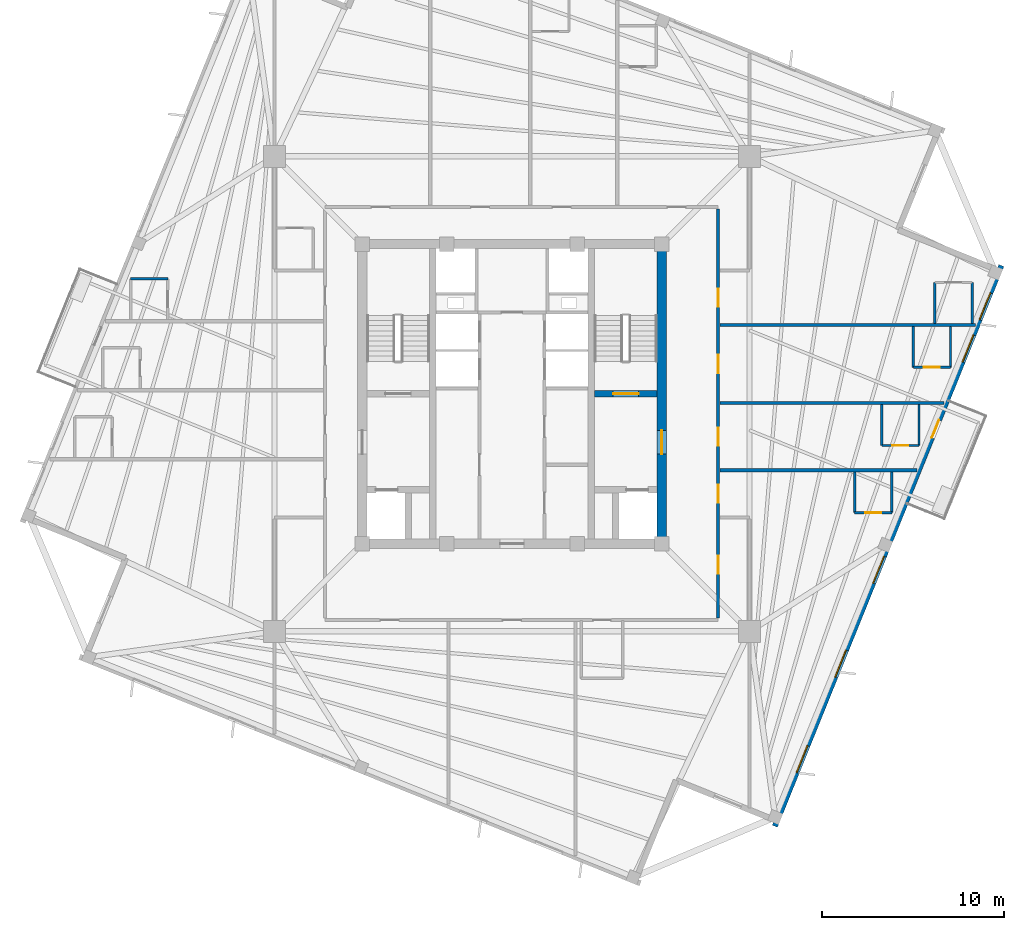
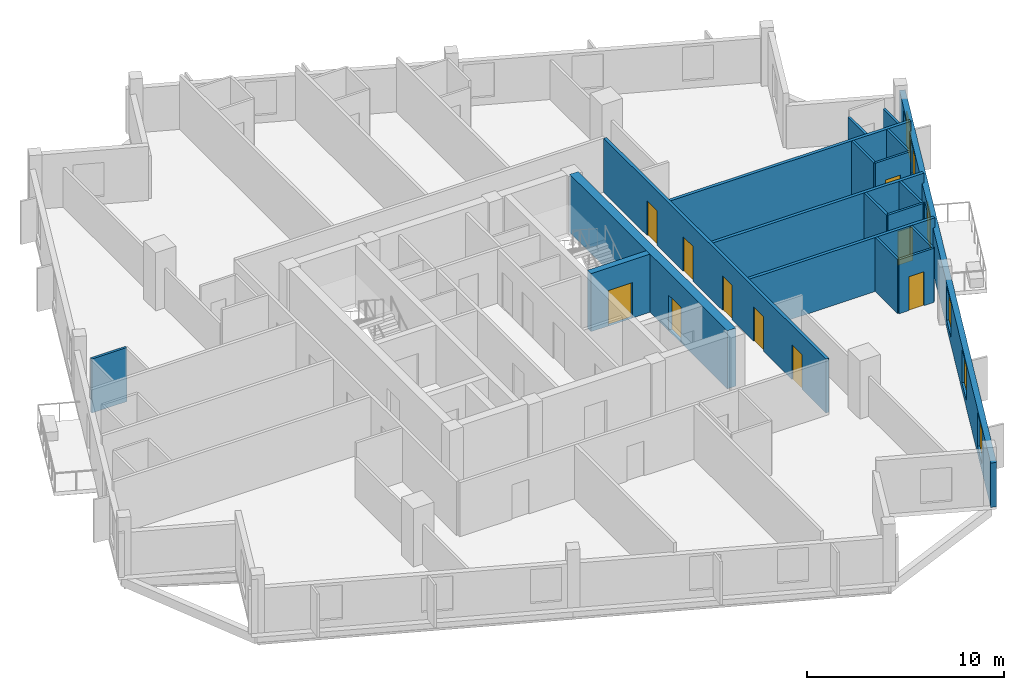
# One storey, part 4 of 9: 19 walls, 11 doors, 5 windows, 16 openings.
"""IFC4 building model written with IfcOpenShell, lengths in metres."""

from ifc_helpers import new_model, si_unit, direction, frame, frame_2d, origin, place, context, subcontext, project, spatial, rectangle, extrude, source, transform, mapped, material, layer, layer_set, type_object, element, fill, save


model = new_model("IFC4")

# Units and contexts
model_context = context("Model", 3, precision=1e-05, world=origin(), true_north=direction((0.0, 1.0)))
body_context = subcontext(model_context, "Body", "Model", "MODEL_VIEW")
ifc_project = project(units=[si_unit("LENGTHUNIT", "METRE"), si_unit("AREAUNIT", "SQUARE_METRE"), si_unit("VOLUMEUNIT", "CUBIC_METRE"), si_unit("PLANEANGLEUNIT", "RADIAN"), si_unit("MASSUNIT", "GRAM", prefix="KILO"), si_unit("THERMODYNAMICTEMPERATUREUNIT", "KELVIN")], contexts=[model_context])

# Site, building, storey
site_placement = place(None, origin())
site = spatial("IfcSite", under=ifc_project, at=site_placement, CompositionType="ELEMENT")
building_placement = place(site_placement, origin())
building = spatial("IfcBuilding", under=site, at=building_placement, Name="Kosmvard Interchange Tower", CompositionType="ELEMENT")
storey_placement = place(building_placement, frame((0.0, 0.0, 301.199951171875)))
storey = spatial("IfcBuildingStorey", under=building, at=storey_placement, Name="L74", CompositionType="ELEMENT", Elevation=301.199951171875)

# Wall, openings, doors
ifc_material_1 = material(Name="Fire-rated gypsum partition system")
ifc_layer_1 = layer(ifc_material_1, 0.179931640625, Name="Fire-rated gypsum partition system")
ifc_layer_set_1 = layer_set([ifc_layer_1], Name="Fire-rated gypsum partition system")
wall_type_1 = type_object("IfcWallType", Name="Corridor & Hotel Compartment Partition 180", PredefinedType="PARTITIONING", material=ifc_layer_set_1)
wall_1_placement = place(storey_placement, frame((11.35009765625, -12.35009765625, 0.0), z_axis=(0.0, 0.0, 1.0), x_axis=(0.0, 1.0, 0.0)))
wall_1 = element("IfcWall", 1, at=wall_1_placement, inside=storey, type_object=wall_type_1, Name="L74 Corridor Wall CE", PredefinedType="PARTITIONING", context=body_context, shape_type="SweptSolid", body=[
    extrude(rectangle(XDim=22.550048828125, YDim=0.179931640625, at=frame_2d((11.27490234375, 0.0))), origin(), (0.0, 0.0, 1.0), 3.35009765625),
])
opening_1_placement = place(wall_1_placement, frame((17.14990234375, 0.0, 0.0)))
opening_1 = element("IfcOpeningElement", 2, at=opening_1_placement, cuts=wall_1, Name="Opening L74-D14", PredefinedType="OPENING", context=body_context, shape_type="SweptSolid", body=[
    extrude(rectangle(XDim=1.0, YDim=2.14990234375, at=frame_2d((0.5, 1.074951171875))), frame((0.0, 0.10009765625, 0.0), z_axis=(0.0, -1.0, 0.0), x_axis=(1.0, 0.0, 0.0)), (0.0, 0.0, 1.0), 0.199951171875),
])
opening_2_placement = place(wall_1_placement, frame((13.5, 0.0, 0.0)))
opening_2 = element("IfcOpeningElement", 3, at=opening_2_placement, cuts=wall_1, Name="Opening L74-D16", PredefinedType="OPENING", context=body_context, shape_type="SweptSolid", body=[
    extrude(rectangle(XDim=1.0, YDim=2.14990234375, at=frame_2d((0.5, 1.074951171875))), frame((0.0, 0.10009765625, 0.0), z_axis=(0.0, -1.0, 0.0), x_axis=(1.0, 0.0, 0.0)), (0.0, 0.0, 1.0), 0.199951171875),
])
opening_3_placement = place(wall_1_placement, frame((9.5, 0.0, 0.0)))
opening_3 = element("IfcOpeningElement", 4, at=opening_3_placement, cuts=wall_1, Name="Opening L74-D18", PredefinedType="OPENING", context=body_context, shape_type="SweptSolid", body=[
    extrude(rectangle(XDim=1.0, YDim=2.14990234375, at=frame_2d((0.5, 1.074951171875))), frame((0.0, 0.10009765625, 0.0), z_axis=(0.0, -1.0, 0.0), x_axis=(1.0, 0.0, 0.0)), (0.0, 0.0, 1.0), 0.199951171875),
])
opening_4_placement = place(wall_1_placement, frame((6.35009765625, 0.0, 0.0)))
opening_4 = element("IfcOpeningElement", 5, at=opening_4_placement, cuts=wall_1, Name="Opening L74-D20", PredefinedType="OPENING", context=body_context, shape_type="SweptSolid", body=[
    extrude(rectangle(XDim=1.0, YDim=2.14990234375, at=frame_2d((0.5, 1.074951171875))), frame((0.0, 0.10009765625, 0.0), z_axis=(0.0, -1.0, 0.0), x_axis=(1.0, 0.0, 0.0)), (0.0, 0.0, 1.0), 0.199951171875),
])
opening_5_placement = place(wall_1_placement, frame((2.439453125, 0.0, 0.0)))
opening_5 = element("IfcOpeningElement", 6, at=opening_5_placement, cuts=wall_1, Name="Opening L74-D22", PredefinedType="OPENING", context=body_context, shape_type="SweptSolid", body=[
    extrude(rectangle(XDim=1.0, YDim=2.14990234375, at=frame_2d((0.5, 1.074951171875))), frame((0.0, 0.10009765625, 0.0), z_axis=(0.0, -1.0, 0.0), x_axis=(1.0, 0.0, 0.0)), (0.0, 0.0, 1.0), 0.199951171875),
])
ifc_material_2 = material(Name="Engineered oak fire-rated timber", Category="wood")
door_type_1 = type_object("IfcDoorType", Name="Hotel Guestroom Entrance Door 1000x2150 EI60", OperationType="NOTDEFINED", PredefinedType="DOOR", material=ifc_material_2)
shared_shape_1 = source(origin(), body_context, "Body", "SweptSolid", [
    extrude(rectangle(XDim=1.0, YDim=2.14990234375, at=frame_2d((0.5, 1.074951171875))), frame((0.0, 0.02490234375, 0.0), z_axis=(0.0, -1.0, 0.0), x_axis=(1.0, 0.0, 0.0)), (0.0, 0.0, 1.0), 0.050048828125),
])
door_1_placement = place(opening_1_placement, frame((1.0, 0.0, 0.0), z_axis=(0.0, 0.0, 1.0), x_axis=(-1.0, 0.0, 0.0)))
door_1 = element("IfcDoor", 7, at=door_1_placement, inside=storey, type_object=door_type_1, Name="L74 Hotel Corner Suite 2 Door", OperationType="SINGLE_SWING_RIGHT", OverallHeight=2.14990234375, OverallWidth=1.0, PredefinedType="DOOR", context=body_context, shape_type="MappedRepresentation", body=[
    mapped(shared_shape_1, transform((0.0, 0.0, 0.0), scale=1.0)),
])
fill(opening_1, door_1)
door_2_placement = place(opening_2_placement, frame((1.0, 0.0, 0.0), z_axis=(0.0, 0.0, 1.0), x_axis=(-1.0, 0.0, 0.0)))
door_2 = element("IfcDoor", 8, at=door_2_placement, inside=storey, type_object=door_type_1, Name="L74 Hotel Superior Guest Room 6 Door", OperationType="SINGLE_SWING_RIGHT", OverallHeight=2.14990234375, OverallWidth=1.0, PredefinedType="DOOR", context=body_context, shape_type="MappedRepresentation", body=[
    mapped(shared_shape_1, transform((0.0, 0.0, 0.0), scale=1.0)),
])
fill(opening_2, door_2)
door_3_placement = place(opening_3_placement, frame((1.0, 0.0, 0.0), z_axis=(0.0, 0.0, 1.0), x_axis=(-1.0, 0.0, 0.0)))
door_3 = element("IfcDoor", 9, at=door_3_placement, inside=storey, type_object=door_type_1, Name="L74 Hotel Superior Guest Room 7 Door", OperationType="SINGLE_SWING_RIGHT", OverallHeight=2.14990234375, OverallWidth=1.0, PredefinedType="DOOR", context=body_context, shape_type="MappedRepresentation", body=[
    mapped(shared_shape_1, transform((0.0, 0.0, 0.0), scale=1.0)),
])
fill(opening_3, door_3)
door_4_placement = place(opening_4_placement, frame((1.0, 0.0, 0.0), z_axis=(0.0, 0.0, 1.0), x_axis=(-1.0, 0.0, 0.0)))
door_4 = element("IfcDoor", 10, at=door_4_placement, inside=storey, type_object=door_type_1, Name="L74 Hotel Corner Suite 3 Door", OperationType="SINGLE_SWING_RIGHT", OverallHeight=2.14990234375, OverallWidth=1.0, PredefinedType="DOOR", context=body_context, shape_type="MappedRepresentation", body=[
    mapped(shared_shape_1, transform((0.0, 0.0, 0.0), scale=1.0)),
])
fill(opening_4, door_4)
door_5_placement = place(opening_5_placement, frame((1.0, 0.0, 0.0), z_axis=(0.0, 0.0, 1.0), x_axis=(-1.0, 0.0, 0.0)))
door_5 = element("IfcDoor", 11, at=door_5_placement, inside=storey, type_object=door_type_1, Name="L74 Housekeeping and Linen Room Door", OperationType="SINGLE_SWING_RIGHT", OverallHeight=2.14990234375, OverallWidth=1.0, PredefinedType="DOOR", context=body_context, shape_type="MappedRepresentation", body=[
    mapped(shared_shape_1, transform((0.0, 0.0, 0.0), scale=1.0)),
])
fill(opening_5, door_5)

# Walls
wall_2_placement = place(storey_placement, frame((11.445068359375, 3.800048828125, 0.0), z_axis=(0.0, 0.0, 1.0), x_axis=(1.0, 0.0, 0.0)))
element("IfcWall", 12, at=wall_2_placement, inside=storey, type_object=wall_type_1, Name="L74 Room Partition 04.1", PredefinedType="PARTITIONING", context=body_context, shape_type="SweptSolid", body=[
    extrude(rectangle(XDim=14.093017578125, YDim=0.179931640625, at=frame_2d((7.04638671875, 0.0))), origin(), (0.0, 0.0, 1.0), 3.35009765625),
])
wall_3_placement = place(storey_placement, frame((11.445068359375, -0.5, 0.0), z_axis=(0.0, 0.0, 1.0), x_axis=(1.0, 0.0, 0.0)))
element("IfcWall", 13, at=wall_3_placement, inside=storey, type_object=wall_type_1, Name="L74 Room Partition 05.1", PredefinedType="PARTITIONING", context=body_context, shape_type="SweptSolid", body=[
    extrude(rectangle(XDim=12.355712890625, YDim=0.179931640625, at=frame_2d((6.177734375, 0.0))), origin(), (0.0, 0.0, 1.0), 3.35009765625),
])
wall_4_placement = place(storey_placement, frame((11.445068359375, -4.199951171875, 0.0), z_axis=(0.0, 0.0, 1.0), x_axis=(1.0, 0.0, 0.0)))
element("IfcWall", 14, at=wall_4_placement, inside=storey, type_object=wall_type_1, Name="L74 Room Partition 06.1", PredefinedType="PARTITIONING", context=body_context, shape_type="SweptSolid", body=[
    extrude(rectangle(XDim=10.86083984375, YDim=0.179931640625, at=frame_2d((5.430419921875, 0.0))), origin(), (0.0, 0.0, 1.0), 3.35009765625),
])

# Wall, opening, door
ifc_material_3 = material(Name="Concrete C60/75", Category="concrete")
ifc_layer_2 = layer(ifc_material_3, 0.360107421875, Name="Concrete C60/75")
ifc_layer_set_2 = layer_set([ifc_layer_2], Name="Concrete C60/75")
wall_type_2 = type_object("IfcWallType", Name="Stair & Lift Shaft Shear Wall 360 C60/75", PredefinedType="SHEAR", material=ifc_layer_set_2)
wall_5_placement = place(storey_placement, frame((4.5400390625, 0.02001953125, 0.0), z_axis=(0.0, 0.0, 1.0), x_axis=(1.0, 0.0, 0.0)))
wall_5 = element("IfcWall", 15, at=wall_5_placement, inside=storey, type_object=wall_type_2, Name="L74 Shaft Shear Wall SW-ST2", PredefinedType="SHEAR", context=body_context, shape_type="SweptSolid", body=[
    extrude(rectangle(XDim=3.4599609375, YDim=0.360107421875, at=frame_2d((1.72998046875, 0.0))), origin(), (0.0, 0.0, 1.0), 3.60009765625),
])
opening_6_placement = place(wall_5_placement, frame((1.030029296875, 0.0, 0.0)))
opening_6 = element("IfcOpeningElement", 16, at=opening_6_placement, cuts=wall_5, Name="Opening L74-SD2", PredefinedType="OPENING", context=body_context, shape_type="SweptSolid", body=[
    extrude(rectangle(XDim=1.39990234375, YDim=2.199951171875, at=frame_2d((0.699951171875, 1.10009765625))), frame((0.0, 0.18994140625, 0.0), z_axis=(0.0, -1.0, 0.0), x_axis=(1.0, 0.0, 0.0)), (0.0, 0.0, 1.0), 0.380126953125),
])
ifc_material_4 = material(Name="Painted fire-rated steel leaf", Category="steel")
door_type_2 = type_object("IfcDoorType", Name="Protected Stair Door 1400x2200 FD60S", OperationType="NOTDEFINED", PredefinedType="DOOR", material=ifc_material_4)
shared_shape_2 = source(origin(), body_context, "Body", "SweptSolid", [
    extrude(rectangle(XDim=1.39990234375, YDim=2.199951171875, at=frame_2d((0.699951171875, 1.10009765625))), frame((0.0, 0.02490234375, 0.0), z_axis=(0.0, -1.0, 0.0), x_axis=(1.0, 0.0, 0.0)), (0.0, 0.0, 1.0), 0.050048828125),
])
door_6_placement = place(opening_6_placement, origin())
door_6 = element("IfcDoor", 17, at=door_6_placement, inside=storey, type_object=door_type_2, Name="L74 Stair ST-2 Enclosure Door", OperationType="SINGLE_SWING_RIGHT", OverallHeight=2.199951171875, OverallWidth=1.39990234375, PredefinedType="DOOR", context=body_context, shape_type="MappedRepresentation", body=[
    mapped(shared_shape_2, transform((0.0, 0.0, 0.0), scale=1.0)),
])
fill(opening_6, door_6)

ifc_layer_3 = layer(ifc_material_3, 0.5, Name="Concrete C60/75")
ifc_layer_set_3 = layer_set([ifc_layer_3], Name="Concrete C60/75")
wall_type_3 = type_object("IfcWallType", Name="Upper Core Shear Wall 500 C60/75", PredefinedType="SHEAR", material=ifc_layer_set_3)
wall_6_placement = place(storey_placement, frame((8.25, -8.0, 0.0), z_axis=(0.0, 0.0, 1.0), x_axis=(0.0, 1.0, 0.0)))
wall_6 = element("IfcWall", 18, at=wall_6_placement, inside=storey, type_object=wall_type_3, Name="L74 Core Shear Wall CW-E", PredefinedType="SHEAR", context=body_context, shape_type="SweptSolid", body=[
    extrude(rectangle(XDim=16.0, YDim=0.5, at=frame_2d((8.0, 0.0))), origin(), (0.0, 0.0, 1.0), 3.60009765625),
])
opening_7_placement = place(wall_6_placement, frame((4.68994140625, 0.0, 0.0)))
opening_7 = element("IfcOpeningElement", 19, at=opening_7_placement, cuts=wall_6, Name="Opening L74-FD2", PredefinedType="OPENING", context=body_context, shape_type="SweptSolid", body=[
    extrude(rectangle(XDim=1.300048828125, YDim=2.199951171875, at=frame_2d((0.64990234375, 1.10009765625))), frame((0.0, 0.260009765625, 0.0), z_axis=(0.0, -1.0, 0.0), x_axis=(1.0, 0.0, 0.0)), (0.0, 0.0, 1.0), 0.52001953125),
])
door_type_3 = type_object("IfcDoorType", Name="Firefighting Lobby Door 1300x2200 EI60", OperationType="NOTDEFINED", PredefinedType="DOOR", material=ifc_material_4)
shared_shape_3 = source(origin(), body_context, "Body", "SweptSolid", [
    extrude(rectangle(XDim=1.300048828125, YDim=2.199951171875, at=frame_2d((0.64990234375, 1.10009765625))), frame((0.0, 0.02490234375, 0.0), z_axis=(0.0, -1.0, 0.0), x_axis=(1.0, 0.0, 0.0)), (0.0, 0.0, 1.0), 0.050048828125),
])
door_7_placement = place(opening_7_placement, origin())
door_7 = element("IfcDoor", 20, at=door_7_placement, inside=storey, type_object=door_type_3, Name="L74 Firefighting Lobby East Door", OperationType="SINGLE_SWING_RIGHT", OverallHeight=2.199951171875, OverallWidth=1.300048828125, PredefinedType="DOOR", context=body_context, shape_type="MappedRepresentation", body=[
    mapped(shared_shape_3, transform((0.0, 0.0, 0.0), scale=1.0)),
])
fill(opening_7, door_7)

# Wall, openings, door, windows
ifc_material_5 = material(Name="Precast concrete C45/55", Category="concrete")
ifc_layer_4 = layer(ifc_material_5, 0.31005859375, Name="Precast concrete C45/55")
ifc_layer_set_4 = layer_set([ifc_layer_4], Name="Precast concrete C45/55")
wall_type_4 = type_object("IfcWallType", Name="Upper Tower Precast Pier Wall 310 C45/55", PredefinedType="STANDARD", material=ifc_layer_set_4)
wall_7_placement = place(storey_placement, frame((14.478759765625, -23.812744140625, 0.0), z_axis=(0.0, 0.0, 1.0), x_axis=(0.374609557019, 0.927182657188, 0.0)))
wall_7 = element("IfcWall", 21, at=wall_7_placement, inside=storey, type_object=wall_type_4, Name="L74 Precast Facade Wall F-S", PredefinedType="STANDARD", context=body_context, shape_type="SweptSolid", body=[
    extrude(rectangle(XDim=33.31005859375, YDim=0.31005859375, at=frame_2d((16.655029296875, 0.0))), origin(), (0.0, 0.0, 1.0), 2.75),
])
opening_8_placement = place(wall_7_placement, frame((23.080078125, 0.0, 0.0)))
opening_8 = element("IfcOpeningElement", 22, at=opening_8_placement, cuts=wall_7, Name="Opening L74-BDW", PredefinedType="OPENING", context=body_context, shape_type="SweptSolid", body=[
    extrude(rectangle(XDim=1.050048828125, YDim=2.25, at=frame_2d((0.52490234375, 1.125))), frame((0.0, 0.1650390625, 0.0), z_axis=(0.0, -1.0, 0.0), x_axis=(1.0, 0.0, 0.0)), (0.0, 0.0, 1.0), 0.330078125),
])
opening_9_placement = place(wall_7_placement, frame((3.197265625, 0.0, 0.469970703125)))
opening_9 = element("IfcOpeningElement", 23, at=opening_9_placement, cuts=wall_7, Name="Opening L74-W01", PredefinedType="OPENING", context=body_context, shape_type="SweptSolid", body=[
    extrude(rectangle(XDim=1.60009765625, YDim=2.10009765625, at=frame_2d((0.800048828125, 1.050048828125))), frame((0.0, 0.1650390625, 0.0), z_axis=(0.0, -1.0, 0.0), x_axis=(1.0, 0.0, 0.0)), (0.0, 0.0, 1.0), 0.330078125),
])
opening_10_placement = place(wall_7_placement, frame((8.85986328125, 0.0, 0.469970703125)))
opening_10 = element("IfcOpeningElement", 24, at=opening_10_placement, cuts=wall_7, Name="Opening L74-W02", PredefinedType="OPENING", context=body_context, shape_type="SweptSolid", body=[
    extrude(rectangle(XDim=1.60009765625, YDim=2.10009765625, at=frame_2d((0.800048828125, 1.050048828125))), frame((0.0, 0.1650390625, 0.0), z_axis=(0.0, -1.0, 0.0), x_axis=(1.0, 0.0, 0.0)), (0.0, 0.0, 1.0), 0.330078125),
])
opening_11_placement = place(wall_7_placement, frame((14.438720703125, 0.0, 0.469970703125)))
opening_11 = element("IfcOpeningElement", 25, at=opening_11_placement, cuts=wall_7, Name="Opening L74-W03", PredefinedType="OPENING", context=body_context, shape_type="SweptSolid", body=[
    extrude(rectangle(XDim=1.60009765625, YDim=2.10009765625, at=frame_2d((0.800048828125, 1.050048828125))), frame((0.0, 0.1650390625, 0.0), z_axis=(0.0, -1.0, 0.0), x_axis=(1.0, 0.0, 0.0)), (0.0, 0.0, 1.0), 0.330078125),
])
opening_12_placement = place(wall_7_placement, frame((30.0966796875, 0.0, 0.469970703125)))
opening_12 = element("IfcOpeningElement", 26, at=opening_12_placement, cuts=wall_7, Name="Opening L74-W04", PredefinedType="OPENING", context=body_context, shape_type="SweptSolid", body=[
    extrude(rectangle(XDim=1.60009765625, YDim=2.10009765625, at=frame_2d((0.800048828125, 1.050048828125))), frame((0.0, 0.1650390625, 0.0), z_axis=(0.0, -1.0, 0.0), x_axis=(1.0, 0.0, 0.0)), (0.0, 0.0, 1.0), 0.330078125),
])
opening_13_placement = place(wall_7_placement, frame((27.58984375, 0.0, 0.469970703125)))
opening_13 = element("IfcOpeningElement", 27, at=opening_13_placement, cuts=wall_7, Name="Opening L74-DW23", PredefinedType="OPENING", context=body_context, shape_type="SweptSolid", body=[
    extrude(rectangle(XDim=1.60009765625, YDim=2.10009765625, at=frame_2d((0.800048828125, 1.050048828125))), frame((0.0, 0.1650390625, 0.0), z_axis=(0.0, -1.0, 0.0), x_axis=(1.0, 0.0, 0.0)), (0.0, 0.0, 1.0), 0.330078125),
])
ifc_material_6 = material(Name="Anodised aluminium and safety glass", Category="aluminium")
door_type_4 = type_object("IfcDoorType", Name="Tree-Balcony Glazed Door 1050x2250", OperationType="NOTDEFINED", PredefinedType="DOOR", material=ifc_material_6)
shared_shape_4 = source(origin(), body_context, "Body", "SweptSolid", [
    extrude(rectangle(XDim=1.050048828125, YDim=2.25, at=frame_2d((0.52490234375, 1.125))), frame((0.0, 0.02490234375, 0.0), z_axis=(0.0, -1.0, 0.0), x_axis=(1.0, 0.0, 0.0)), (0.0, 0.0, 1.0), 0.050048828125),
])
door_8_placement = place(opening_8_placement, origin())
door_8 = element("IfcDoor", 28, at=door_8_placement, inside=storey, type_object=door_type_4, Name="L74 Tree-Balcony Door BAL-L74-SW", OperationType="SINGLE_SWING_LEFT", OverallHeight=2.25, OverallWidth=1.050048828125, PredefinedType="DOOR", context=body_context, shape_type="MappedRepresentation", body=[
    mapped(shared_shape_4, transform((0.0, 0.0, 0.0), scale=1.0)),
])
fill(opening_8, door_8)
ifc_material_7 = material(Name="Low-E acoustic double glazing", Category="glass")
window_type = type_object("IfcWindowType", Name="Zone 5 Hotel Punched Window 1600x2100", PartitioningType="SINGLE_PANEL", PredefinedType="WINDOW", material=ifc_material_7)
shared_shape_5 = source(origin(), body_context, "Body", "SweptSolid", [
    extrude(rectangle(XDim=1.60009765625, YDim=2.10009765625, at=frame_2d((0.800048828125, 1.050048828125))), frame((0.0, 0.030029296875, 0.0), z_axis=(0.0, -1.0, 0.0), x_axis=(1.0, 0.0, 0.0)), (0.0, 0.0, 1.0), 0.06005859375),
])
window_1_placement = place(opening_9_placement, origin())
window_1 = element("IfcWindow", 29, at=window_1_placement, inside=storey, type_object=window_type, Name="L74 Facade Punched Window 01", OverallHeight=2.10009765625, OverallWidth=1.60009765625, PartitioningType="SINGLE_PANEL", PredefinedType="WINDOW", context=body_context, shape_type="MappedRepresentation", body=[
    mapped(shared_shape_5, transform((0.0, 0.0, 0.0), scale=1.0)),
])
fill(opening_9, window_1)
window_2_placement = place(opening_10_placement, origin())
window_2 = element("IfcWindow", 30, at=window_2_placement, inside=storey, type_object=window_type, Name="L74 Facade Punched Window 02", OverallHeight=2.10009765625, OverallWidth=1.60009765625, PartitioningType="SINGLE_PANEL", PredefinedType="WINDOW", context=body_context, shape_type="MappedRepresentation", body=[
    mapped(shared_shape_5, transform((0.0, 0.0, 0.0), scale=1.0)),
])
fill(opening_10, window_2)
window_3_placement = place(opening_11_placement, origin())
window_3 = element("IfcWindow", 31, at=window_3_placement, inside=storey, type_object=window_type, Name="L74 Facade Punched Window 03", OverallHeight=2.10009765625, OverallWidth=1.60009765625, PartitioningType="SINGLE_PANEL", PredefinedType="WINDOW", context=body_context, shape_type="MappedRepresentation", body=[
    mapped(shared_shape_5, transform((0.0, 0.0, 0.0), scale=1.0)),
])
fill(opening_11, window_3)
window_4_placement = place(opening_12_placement, origin())
window_4 = element("IfcWindow", 32, at=window_4_placement, inside=storey, type_object=window_type, Name="L74 Facade Punched Window 04", OverallHeight=2.10009765625, OverallWidth=1.60009765625, PartitioningType="SINGLE_PANEL", PredefinedType="WINDOW", context=body_context, shape_type="MappedRepresentation", body=[
    mapped(shared_shape_5, transform((0.0, 0.0, 0.0), scale=1.0)),
])
fill(opening_12, window_4)
window_5_placement = place(opening_13_placement, origin())
window_5 = element("IfcWindow", 33, at=window_5_placement, inside=storey, type_object=window_type, Name="L74 Guest Room Punched Window 23", OverallHeight=2.10009765625, OverallWidth=1.60009765625, PartitioningType="SINGLE_PANEL", PredefinedType="WINDOW", context=body_context, shape_type="MappedRepresentation", body=[
    mapped(shared_shape_5, transform((0.0, 0.0, 0.0), scale=1.0)),
])
fill(opening_13, window_5)

# Walls
ifc_material_8 = material(Name="Moisture-resistant gypsum partition")
ifc_layer_5 = layer(ifc_material_8, 0.135009765625, Name="Moisture-resistant gypsum partition")
ifc_layer_set_5 = layer_set([ifc_layer_5], Name="Moisture-resistant gypsum partition")
wall_type_5 = type_object("IfcWallType", Name="Wet Room Moisture-Resistant Partition 135", PredefinedType="PARTITIONING", material=ifc_layer_set_5)
wall_8_placement = place(storey_placement, frame((-21.00341796875, 6.340087890625, 0.0), z_axis=(0.0, 0.0, 1.0), x_axis=(1.0, 0.0, 0.0)))
element("IfcWall", 34, at=wall_8_placement, inside=storey, type_object=wall_type_5, Name="L74 En-Suite Partition HGR2-N", PredefinedType="PARTITIONING", context=body_context, shape_type="SweptSolid", body=[
    extrude(rectangle(XDim=2.050048828125, YDim=0.135009765625, at=frame_2d((1.02490234375, 0.0))), origin(), (0.0, 0.0, 1.0), 3.35009765625),
])
wall_9_placement = place(storey_placement, frame((25.341552734375, 3.889892578125, 0.0), z_axis=(0.0, 0.0, 1.0), x_axis=(0.0, 1.0, 0.0)))
element("IfcWall", 35, at=wall_9_placement, inside=storey, type_object=wall_type_5, Name="L74 En-Suite Partition HCS2-E", PredefinedType="PARTITIONING", context=body_context, shape_type="SweptSolid", body=[
    extrude(rectangle(XDim=2.25, YDim=0.135009765625, at=frame_2d((1.125, 0.0))), origin(), (0.0, 0.0, 1.0), 2.75),
])
wall_10_placement = place(storey_placement, frame((23.29150390625, 3.889892578125, 0.0), z_axis=(0.0, 0.0, 1.0), x_axis=(0.0, 1.0, 0.0)))
element("IfcWall", 36, at=wall_10_placement, inside=storey, type_object=wall_type_5, Name="L74 En-Suite Partition HCS2-W", PredefinedType="PARTITIONING", context=body_context, shape_type="SweptSolid", body=[
    extrude(rectangle(XDim=2.25, YDim=0.135009765625, at=frame_2d((1.125, 0.0))), origin(), (0.0, 0.0, 1.0), 2.949951171875),
])

# Wall, opening, door
wall_11_placement = place(storey_placement, frame((22.104736328125, 1.4599609375, 0.0), z_axis=(0.0, 0.0, 1.0), x_axis=(1.0, 0.0, 0.0)))
wall_11 = element("IfcWall", 37, at=wall_11_placement, inside=storey, type_object=wall_type_5, Name="L74 En-Suite Partition HGR6-S", PredefinedType="PARTITIONING", context=body_context, shape_type="SweptSolid", body=[
    extrude(rectangle(XDim=2.050048828125, YDim=0.135009765625, at=frame_2d((1.02490234375, 0.0))), origin(), (0.0, 0.0, 1.0), 3.35009765625),
])
opening_14_placement = place(wall_11_placement, frame((0.5849609375, 0.0, 0.0)))
opening_14 = element("IfcOpeningElement", 38, at=opening_14_placement, cuts=wall_11, Name="Opening L74-ED17", PredefinedType="OPENING", context=body_context, shape_type="SweptSolid", body=[
    extrude(rectangle(XDim=0.8798828125, YDim=2.10009765625, at=frame_2d((0.43994140625, 1.050048828125))), frame((0.0, 0.07763671875, 0.0), z_axis=(0.0, -1.0, 0.0), x_axis=(1.0, 0.0, 0.0)), (0.0, 0.0, 1.0), 0.155029296875),
])
ifc_material_9 = material(Name="Laminated moisture-resistant timber", Category="wood")
door_type_5 = type_object("IfcDoorType", Name="En-Suite & Washroom Door 880x2100", OperationType="NOTDEFINED", PredefinedType="DOOR", material=ifc_material_9)
shared_shape_6 = source(origin(), body_context, "Body", "SweptSolid", [
    extrude(rectangle(XDim=0.8798828125, YDim=2.10009765625, at=frame_2d((0.43994140625, 1.050048828125))), frame((0.0, 0.02490234375, 0.0), z_axis=(0.0, -1.0, 0.0), x_axis=(1.0, 0.0, 0.0)), (0.0, 0.0, 1.0), 0.050048828125),
])
door_9_placement = place(opening_14_placement, origin())
door_9 = element("IfcDoor", 39, at=door_9_placement, inside=storey, type_object=door_type_5, Name="L74 HGR6 En-Suite Door", OperationType="SINGLE_SWING_RIGHT", OverallHeight=2.10009765625, OverallWidth=0.8798828125, PredefinedType="DOOR", context=body_context, shape_type="MappedRepresentation", body=[
    mapped(shared_shape_6, transform((0.0, 0.0, 0.0), scale=1.0)),
])
fill(opening_14, door_9)

# Walls
for number, where, z_axis, x_axis, name in (
    (40, (24.15478515625, 1.4599609375, 0.0), (0.0, 0.0, 1.0), (0.0, 1.0, 0.0), "L74 En-Suite Partition HGR6-E"),
    (41, (22.104736328125, 1.4599609375, 0.0), (0.0, 0.0, 1.0), (0.0, 1.0, 0.0), "L74 En-Suite Partition HGR6-W"),
):
    element("IfcWall", number, at=place(storey_placement, frame(where, z_axis=z_axis, x_axis=x_axis)), inside=storey, type_object=wall_type_5, Name=name, PredefinedType="PARTITIONING", context=body_context, shape_type="SweptSolid", body=[
        extrude(rectangle(XDim=2.25, YDim=0.135009765625, at=frame_2d((1.125, 0.0))), origin(), (0.0, 0.0, 1.0), 3.35009765625),
    ])

# Wall, opening, door
wall_12_placement = place(storey_placement, frame((20.367431640625, -2.840087890625, 0.0), z_axis=(0.0, 0.0, 1.0), x_axis=(1.0, 0.0, 0.0)))
wall_12 = element("IfcWall", 42, at=wall_12_placement, inside=storey, type_object=wall_type_5, Name="L74 En-Suite Partition HGR7-S", PredefinedType="PARTITIONING", context=body_context, shape_type="SweptSolid", body=[
    extrude(rectangle(XDim=2.050048828125, YDim=0.135009765625, at=frame_2d((1.02490234375, 0.0))), origin(), (0.0, 0.0, 1.0), 3.35009765625),
])
opening_15_placement = place(wall_12_placement, frame((0.5849609375, 0.0, 0.0)))
opening_15 = element("IfcOpeningElement", 43, at=opening_15_placement, cuts=wall_12, Name="Opening L74-ED19", PredefinedType="OPENING", context=body_context, shape_type="SweptSolid", body=[
    extrude(rectangle(XDim=0.8798828125, YDim=2.10009765625, at=frame_2d((0.43994140625, 1.050048828125))), frame((0.0, 0.07763671875, 0.0), z_axis=(0.0, -1.0, 0.0), x_axis=(1.0, 0.0, 0.0)), (0.0, 0.0, 1.0), 0.155029296875),
])
door_10_placement = place(opening_15_placement, origin())
door_10 = element("IfcDoor", 44, at=door_10_placement, inside=storey, type_object=door_type_5, Name="L74 HGR7 En-Suite Door", OperationType="SINGLE_SWING_RIGHT", OverallHeight=2.10009765625, OverallWidth=0.8798828125, PredefinedType="DOOR", context=body_context, shape_type="MappedRepresentation", body=[
    mapped(shared_shape_6, transform((0.0, 0.0, 0.0), scale=1.0)),
])
fill(opening_15, door_10)

# Walls
for number, where, z_axis, x_axis, name in (
    (45, (22.41748046875, -2.840087890625, 0.0), (0.0, 0.0, 1.0), (0.0, 1.0, 0.0), "L74 En-Suite Partition HGR7-E"),
    (46, (20.367431640625, -2.840087890625, 0.0), (0.0, 0.0, 1.0), (0.0, 1.0, 0.0), "L74 En-Suite Partition HGR7-W"),
):
    element("IfcWall", number, at=place(storey_placement, frame(where, z_axis=z_axis, x_axis=x_axis)), inside=storey, type_object=wall_type_5, Name=name, PredefinedType="PARTITIONING", context=body_context, shape_type="SweptSolid", body=[
        extrude(rectangle(XDim=2.25, YDim=0.135009765625, at=frame_2d((1.125, 0.0))), origin(), (0.0, 0.0, 1.0), 3.35009765625),
    ])

# Wall, opening, door
wall_13_placement = place(storey_placement, frame((18.87255859375, -6.5400390625, 0.0), z_axis=(0.0, 0.0, 1.0), x_axis=(1.0, 0.0, 0.0)))
wall_13 = element("IfcWall", 47, at=wall_13_placement, inside=storey, type_object=wall_type_5, Name="L74 En-Suite Partition HCS3-S", PredefinedType="PARTITIONING", context=body_context, shape_type="SweptSolid", body=[
    extrude(rectangle(XDim=2.050048828125, YDim=0.135009765625, at=frame_2d((1.02490234375, 0.0))), origin(), (0.0, 0.0, 1.0), 3.35009765625),
])
opening_16_placement = place(wall_13_placement, frame((0.5849609375, 0.0, 0.0)))
opening_16 = element("IfcOpeningElement", 48, at=opening_16_placement, cuts=wall_13, Name="Opening L74-ED21", PredefinedType="OPENING", context=body_context, shape_type="SweptSolid", body=[
    extrude(rectangle(XDim=0.8798828125, YDim=2.10009765625, at=frame_2d((0.43994140625, 1.050048828125))), frame((0.0, 0.07763671875, 0.0), z_axis=(0.0, -1.0, 0.0), x_axis=(1.0, 0.0, 0.0)), (0.0, 0.0, 1.0), 0.155029296875),
])
door_11_placement = place(opening_16_placement, origin())
door_11 = element("IfcDoor", 49, at=door_11_placement, inside=storey, type_object=door_type_5, Name="L74 HCS3 En-Suite Door", OperationType="SINGLE_SWING_RIGHT", OverallHeight=2.10009765625, OverallWidth=0.8798828125, PredefinedType="DOOR", context=body_context, shape_type="MappedRepresentation", body=[
    mapped(shared_shape_6, transform((0.0, 0.0, 0.0), scale=1.0)),
])
fill(opening_16, door_11)

# Walls
for number, where, z_axis, x_axis, name in (
    (50, (20.922607421875, -6.5400390625, 0.0), (0.0, 0.0, 1.0), (0.0, 1.0, 0.0), "L74 En-Suite Partition HCS3-E"),
    (51, (18.87255859375, -6.5400390625, 0.0), (0.0, 0.0, 1.0), (0.0, 1.0, 0.0), "L74 En-Suite Partition HCS3-W"),
):
    element("IfcWall", number, at=place(storey_placement, frame(where, z_axis=z_axis, x_axis=x_axis)), inside=storey, type_object=wall_type_5, Name=name, PredefinedType="PARTITIONING", context=body_context, shape_type="SweptSolid", body=[
        extrude(rectangle(XDim=2.25, YDim=0.135009765625, at=frame_2d((1.125, 0.0))), origin(), (0.0, 0.0, 1.0), 3.35009765625),
    ])

save(model, "model.ifc")
